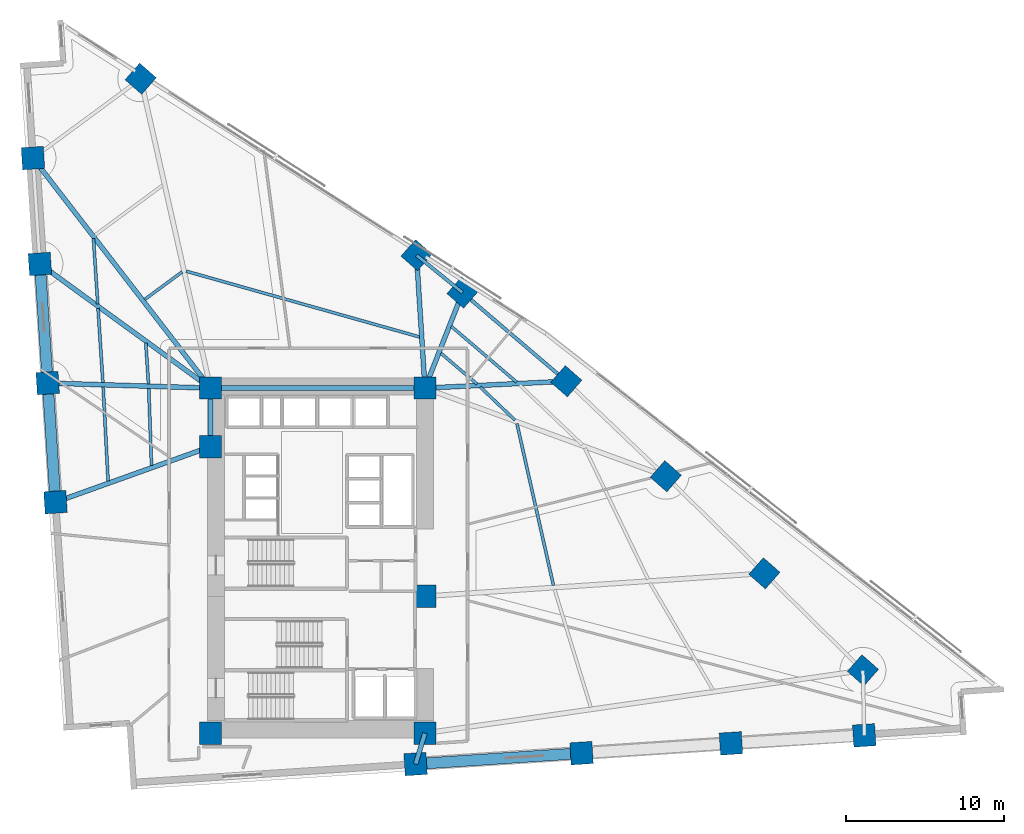
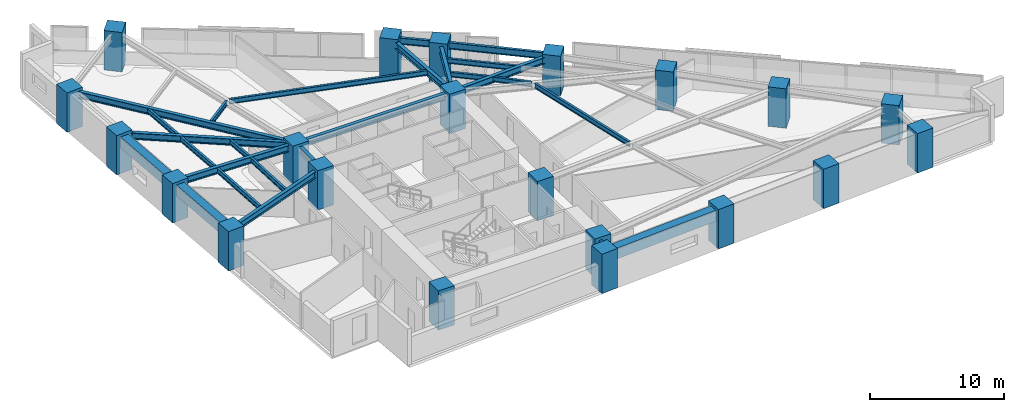
# One storey, part 1 of 16: 26 beams, 21 columns.
"""IFC4 building model written with IfcOpenShell, lengths in metres."""

from ifc_helpers import new_model, si_unit, direction, frame, origin, origin_2d, place, context, subcontext, project, spatial, rectangle, i_section, extrude, material, material_profile, profile_set, type_object, element, save


model = new_model("IFC4")

# Units and contexts
model_context = context("Model", 3, precision=1e-05, world=origin(), true_north=direction((0.0, 1.0)))
body_context = subcontext(model_context, "Body", "Model", "MODEL_VIEW")
ifc_project = project(units=[si_unit("LENGTHUNIT", "METRE"), si_unit("AREAUNIT", "SQUARE_METRE"), si_unit("VOLUMEUNIT", "CUBIC_METRE"), si_unit("PLANEANGLEUNIT", "RADIAN"), si_unit("MASSUNIT", "GRAM", prefix="KILO")], contexts=[model_context])

# Site, building, storey
site_placement = place(None, origin())
site = spatial("IfcSite", under=ifc_project, at=site_placement, CompositionType="ELEMENT")
building_placement = place(site_placement, origin())
building = spatial("IfcBuilding", under=site, at=building_placement, Name="Narakoshi Arena Tower", CompositionType="ELEMENT")
storey_placement = place(building_placement, frame((0.0, 0.0, 66.89990234375)))
storey = spatial("IfcBuildingStorey", under=building, at=storey_placement, Name="L17", CompositionType="ELEMENT", Elevation=66.89990234375)

# Columns
ifc_material_1 = material(Name="Concrete C60/75", Category="concrete")
ifc_material_profile_1 = material_profile(ifc_material_1, rectangle(XDim=1.39990234375, YDim=1.39990234375, at=origin_2d()), Name="RC1400x1400")
ifc_profile_set_1 = profile_set([ifc_material_profile_1], Name="Concrete C60/75")
column_type = type_object("IfcColumnType", Name="COL-RC1400", PredefinedType="COLUMN", material=ifc_profile_set_1)
for number, where, z_axis, x_axis, name in (
    (1, (72.0, 34.699951171875, 0.0), (0.0, 0.0, 1.0), (1.0, 0.0, 0.0), "L17 Core Structural Column CC1"),
    (2, (85.550048828125, 34.699951171875, 0.0), (0.0, 0.0, 1.0), (1.0, 0.0, 0.0), "L17 Core Structural Column CC2"),
    (3, (85.550048828125, 43.35009765625, 0.0), (0.0, 0.0, 1.0), (1.0, 0.0, 0.0), "L17 Core Structural Column CC3"),
    (4, (72.0, 52.800048828125, 0.0), (0.0, 0.0, 1.0), (1.0, 0.0, 0.0), "L17 Core Structural Column CC4"),
    (5, (72.0, 56.5, 0.0), (0.0, 0.0, 1.0), (1.0, 0.0, 0.0), "L17 Core Structural Column CC5"),
    (6, (85.550048828125, 56.5, 0.0), (0.0, 0.0, 1.0), (1.0, 0.0, 0.0), "L17 Core Structural Column CC6"),
    (7, (84.95703125, 32.7509765625, 0.0), (0.0, 0.0, 1.0), (0.997858923239, 0.06540312923, 0.0), "L17 Tower Perimeter Column TC01"),
    (8, (95.44189453125, 33.43798828125, 0.0), (0.0, 0.0, 1.0), (0.997858923239, 0.06540312923, 0.0), "L17 Tower Perimeter Column TC02"),
    (9, (104.8779296875, 34.056640625, 0.0), (0.0, 0.0, 1.0), (0.997858923239, 0.06540312923, 0.0), "L17 Tower Perimeter Column TC03"),
    (10, (113.299560546875, 34.5634765625, 0.0), (0.0, 0.0, 1.0), (0.997858923239, 0.06540312923, 0.0), "L17 Tower Perimeter Column TC04"),
    (11, (113.21630859375, 38.669189453125, 0.0), (0.0, 0.0, 1.0), (0.6593458151, 0.751839807479, 0.0), "L17 Tower Perimeter Column TC05"),
    (12, (106.989990234375, 44.800537109375, 0.0), (0.0, 0.0, 1.0), (0.6593458151, 0.751839807479, 0.0), "L17 Tower Perimeter Column TC06"),
    (13, (100.76318359375, 50.931640625, 0.0), (0.0, 0.0, 1.0), (0.6593458151, 0.751839807479, 0.0), "L17 Tower Perimeter Column TC07"),
    (14, (94.47900390625, 56.934814453125, 0.0), (0.0, 0.0, 1.0), (0.6593458151, 0.751839807479, 0.0), "L17 Tower Perimeter Column TC08"),
    (15, (87.922607421875, 62.534423828125, 0.0), (0.0, 0.0, 1.0), (0.6593458151, 0.751839807479, 0.0), "L17 Tower Perimeter Column TC09"),
    (16, (85.0146484375, 64.89794921875, 0.0), (0.0, 0.0, 1.0), (0.6593458151, 0.751839807479, 0.0), "L17 Tower Perimeter Column TC10"),
    (17, (67.58984375, 76.04345703125, 0.0), (0.0, 0.0, 1.0), (0.6593458151, 0.751839807479, 0.0), "L17 Tower Perimeter Column TC11"),
    (18, (60.785400390625, 71.031005859375, 0.0), (0.0, 0.0, 1.0), (-0.06540312923, 0.997858923239, 0.0), "L17 Tower Perimeter Column TC13"),
    (19, (61.223876953125, 64.343017578125, 0.0), (0.0, 0.0, 1.0), (-0.06540312923, 0.997858923239, 0.0), "L17 Tower Perimeter Column TC14"),
    (20, (61.716796875, 56.819091796875, 0.0), (0.0, 0.0, 1.0), (-0.06540312923, 0.997858923239, 0.0), "L17 Tower Perimeter Column TC15"),
    (21, (62.210205078125, 49.294921875, 0.0), (0.0, 0.0, 1.0), (-0.06540312923, 0.997858923239, 0.0), "L17 Tower Perimeter Column TC16"),
):
    element("IfcColumn", number, at=place(storey_placement, frame(where, z_axis=z_axis, x_axis=x_axis)), inside=storey, type_object=column_type, Name=name, PredefinedType="COLUMN", context=body_context, shape_type="SweptSolid", body=[
        extrude(rectangle(XDim=1.39990234375, YDim=1.39990234375, at=origin_2d()), origin(), (0.0, 0.0, 1.0), 3.60009765625),
    ])

# Beams
ifc_material_profile_2 = material_profile(ifc_material_1, rectangle(XDim=0.699951171875, YDim=1.0, at=origin_2d()), Name="RCB700x1000")
ifc_profile_set_2 = profile_set([ifc_material_profile_2], Name="Concrete C60/75")
beam_type_1 = type_object("IfcBeamType", Name="BM-CPL-1000", PredefinedType="BEAM", material=ifc_profile_set_2)
beam_1_placement = place(storey_placement, frame((84.95703125, 32.7509765625, 2.840087890625), z_axis=(0.997860180992, 0.065383936788, 0.0), x_axis=(-0.065383936788, 0.997860180992, 0.0)))
element("IfcBeam", 22, at=beam_1_placement, inside=storey, type_object=beam_type_1, Name="L17 Perimeter Edge Girder 01", PredefinedType="BEAM", context=body_context, shape_type="SweptSolid", body=[
    extrude(rectangle(XDim=0.699951171875, YDim=1.0, at=origin_2d()), origin(), (0.0, 0.0, 1.0), 10.50732421875),
])
beam_2_placement = place(storey_placement, frame((61.223876953125, 64.343017578125, 2.840087890625), z_axis=(0.065373518191, -0.997860863607, 0.0), x_axis=(0.997860863607, 0.065373518191, 0.0)))
element("IfcBeam", 23, at=beam_2_placement, inside=storey, type_object=beam_type_1, Name="L17 Perimeter Edge Girder 13", PredefinedType="BEAM", context=body_context, shape_type="SweptSolid", body=[
    extrude(rectangle(XDim=0.699951171875, YDim=1.0, at=origin_2d()), origin(), (0.0, 0.0, 1.0), 7.5400390625),
])
beam_3_placement = place(storey_placement, frame((61.716796875, 56.819091796875, 2.840087890625), z_axis=(0.06543588513, -0.997856775764, 0.0), x_axis=(0.997856775764, 0.06543588513, 0.0)))
element("IfcBeam", 24, at=beam_3_placement, inside=storey, type_object=beam_type_1, Name="L17 Perimeter Edge Girder 14", PredefinedType="BEAM", context=body_context, shape_type="SweptSolid", body=[
    extrude(rectangle(XDim=0.699951171875, YDim=1.0, at=origin_2d()), origin(), (0.0, 0.0, 1.0), 7.540283203125),
])
ifc_material_2 = material(Name="Structural steel S355J2", Category="steel")
ifc_material_profile_3 = material_profile(ifc_material_2, i_section(OverallWidth=0.219970703125, OverallDepth=0.60009765625, WebThickness=0.011962890625, FlangeThickness=0.01904296875, FilletRadius=0.02392578125, at=origin_2d()), Name="IPE600")
ifc_profile_set_3 = profile_set([ifc_material_profile_3], Name="Structural steel S355J2")
beam_type_2 = type_object("IfcBeamType", Name="BM-EDGE-600", PredefinedType="BEAM", material=ifc_profile_set_3)
beam_4_placement = place(storey_placement, frame((94.47900390625, 56.934814453125, 3.0400390625), z_axis=(-0.760410675305, 0.649442533934, 0.0), x_axis=(-0.649442533934, -0.760410675305, 0.0)))
element("IfcBeam", 25, at=beam_4_placement, inside=storey, type_object=beam_type_2, Name="L17 Perimeter Edge Girder 08", PredefinedType="BEAM", context=body_context, shape_type="SweptSolid", body=[
    extrude(i_section(OverallWidth=0.219970703125, OverallDepth=0.60009765625, WebThickness=0.011962890625, FlangeThickness=0.01904296875, FilletRadius=0.02392578125, at=origin_2d()), origin(), (0.0, 0.0, 1.0), 8.6220703125),
])
beam_5_placement = place(storey_placement, frame((87.922607421875, 62.534423828125, 3.0400390625), z_axis=(-0.776008368668, 0.630722610786, 0.0), x_axis=(-0.630722610786, -0.776008368668, 0.0)))
element("IfcBeam", 26, at=beam_5_placement, inside=storey, type_object=beam_type_2, Name="L17 Perimeter Edge Girder 09", PredefinedType="BEAM", context=body_context, shape_type="SweptSolid", body=[
    extrude(i_section(OverallWidth=0.219970703125, OverallDepth=0.60009765625, WebThickness=0.011962890625, FlangeThickness=0.01904296875, FilletRadius=0.02392578125, at=origin_2d()), origin(), (0.0, 0.0, 1.0), 3.747314453125),
])
ifc_material_profile_4 = material_profile(ifc_material_2, i_section(OverallWidth=0.300048828125, OverallDepth=0.60009765625, WebThickness=0.015380859375, FlangeThickness=0.030029296875, FilletRadius=0.027099609375, at=origin_2d()), Name="HE600B")
ifc_profile_set_4 = profile_set([ifc_material_profile_4], Name="Structural steel S355J2")
beam_type_3 = type_object("IfcBeamType", Name="BM-PRI-600", PredefinedType="BEAM", material=ifc_profile_set_4)
beam_6_placement = place(storey_placement, frame((85.550048828125, 34.699951171875, 3.0400390625), z_axis=(-0.291094852197, -0.956694197236, 0.0), x_axis=(0.956694197236, -0.291094852197, 0.0)))
element("IfcBeam", 27, at=beam_6_placement, inside=storey, type_object=beam_type_3, Name="L17 Radial Primary Floor Girder 01", PredefinedType="BEAM", context=body_context, shape_type="SweptSolid", body=[
    extrude(i_section(OverallWidth=0.300048828125, OverallDepth=0.60009765625, WebThickness=0.015380859375, FlangeThickness=0.030029296875, FilletRadius=0.027099609375, at=origin_2d()), origin(), (0.0, 0.0, 1.0), 2.037109375),
])
beam_7_placement = place(storey_placement, frame((85.550048828125, 56.5, 3.0400390625), z_axis=(0.998816399631, 0.048639488359, 0.0), x_axis=(-0.048639488359, 0.998816399631, 0.0)))
element("IfcBeam", 28, at=beam_7_placement, inside=storey, type_object=beam_type_3, Name="L17 Radial Primary Floor Girder 08", PredefinedType="BEAM", context=body_context, shape_type="SweptSolid", body=[
    extrude(i_section(OverallWidth=0.300048828125, OverallDepth=0.60009765625, WebThickness=0.015380859375, FlangeThickness=0.030029296875, FilletRadius=0.027099609375, at=origin_2d()), origin(), (0.0, 0.0, 1.0), 8.939453125),
])
beam_8_placement = place(storey_placement, frame((85.550048828125, 56.5, 3.0400390625), z_axis=(0.365905149474, 0.930652148543, 0.0), x_axis=(-0.930652148543, 0.365905149474, 0.0)))
element("IfcBeam", 29, at=beam_8_placement, inside=storey, type_object=beam_type_3, Name="L17 Radial Primary Floor Girder 09", PredefinedType="BEAM", context=body_context, shape_type="SweptSolid", body=[
    extrude(i_section(OverallWidth=0.300048828125, OverallDepth=0.60009765625, WebThickness=0.015380859375, FlangeThickness=0.030029296875, FilletRadius=0.027099609375, at=origin_2d()), origin(), (0.0, 0.0, 1.0), 6.484130859375),
])
beam_9_placement = place(storey_placement, frame((85.550048828125, 56.5, 3.0400390625), z_axis=(-0.063624535653, 0.997973906704, 0.0), x_axis=(-0.997973906704, -0.063624535653, 0.0)))
element("IfcBeam", 30, at=beam_9_placement, inside=storey, type_object=beam_type_3, Name="L17 Radial Primary Floor Girder 10", PredefinedType="BEAM", context=body_context, shape_type="SweptSolid", body=[
    extrude(i_section(OverallWidth=0.300048828125, OverallDepth=0.60009765625, WebThickness=0.015380859375, FlangeThickness=0.030029296875, FilletRadius=0.027099609375, at=origin_2d()), origin(), (0.0, 0.0, 1.0), 8.4150390625),
])
beam_10_placement = place(storey_placement, frame((72.0, 56.5, 3.0400390625), z_axis=(-0.610973069948, 0.791651380216, 0.0), x_axis=(-0.791651380216, -0.610973069948, 0.0)))
element("IfcBeam", 31, at=beam_10_placement, inside=storey, type_object=beam_type_3, Name="L17 Radial Primary Floor Girder 12", PredefinedType="BEAM", context=body_context, shape_type="SweptSolid", body=[
    extrude(i_section(OverallWidth=0.300048828125, OverallDepth=0.60009765625, WebThickness=0.015380859375, FlangeThickness=0.030029296875, FilletRadius=0.027099609375, at=origin_2d()), origin(), (0.0, 0.0, 1.0), 18.355224609375),
])
beam_11_placement = place(storey_placement, frame((72.0, 56.5, 3.0400390625), z_axis=(-0.808527706159, 0.588458110976, 0.0), x_axis=(-0.588458110976, -0.808527706159, 0.0)))
element("IfcBeam", 32, at=beam_11_placement, inside=storey, type_object=beam_type_3, Name="L17 Radial Primary Floor Girder 13", PredefinedType="BEAM", context=body_context, shape_type="SweptSolid", body=[
    extrude(i_section(OverallWidth=0.300048828125, OverallDepth=0.60009765625, WebThickness=0.015380859375, FlangeThickness=0.030029296875, FilletRadius=0.027099609375, at=origin_2d()), origin(), (0.0, 0.0, 1.0), 13.328125),
])
beam_12_placement = place(storey_placement, frame((72.0, 56.5, 3.0400390625), z_axis=(-0.99951890487, 0.031015460795, 0.0), x_axis=(-0.031015460795, -0.99951890487, 0.0)))
element("IfcBeam", 33, at=beam_12_placement, inside=storey, type_object=beam_type_3, Name="L17 Radial Primary Floor Girder 14", PredefinedType="BEAM", context=body_context, shape_type="SweptSolid", body=[
    extrude(i_section(OverallWidth=0.300048828125, OverallDepth=0.60009765625, WebThickness=0.015380859375, FlangeThickness=0.030029296875, FilletRadius=0.027099609375, at=origin_2d()), origin(), (0.0, 0.0, 1.0), 10.2880859375),
])
beam_13_placement = place(storey_placement, frame((72.0, 52.800048828125, 3.0400390625), z_axis=(-0.941474424124, -0.33708442373, 0.0), x_axis=(0.33708442373, -0.941474424124, 0.0)))
element("IfcBeam", 34, at=beam_13_placement, inside=storey, type_object=beam_type_3, Name="L17 Radial Primary Floor Girder 15", PredefinedType="BEAM", context=body_context, shape_type="SweptSolid", body=[
    extrude(i_section(OverallWidth=0.300048828125, OverallDepth=0.60009765625, WebThickness=0.015380859375, FlangeThickness=0.030029296875, FilletRadius=0.027099609375, at=origin_2d()), origin(), (0.0, 0.0, 1.0), 10.3984375),
])
beam_14_placement = place(storey_placement, frame((72.0, 52.800048828125, 3.0400390625), z_axis=(0.0, 1.0, 0.0), x_axis=(-1.0, 0.0, 0.0)))
element("IfcBeam", 35, at=beam_14_placement, inside=storey, type_object=beam_type_3, Name="L17 Core Perimeter Frame Beam CC4-CC5", PredefinedType="BEAM", context=body_context, shape_type="SweptSolid", body=[
    extrude(i_section(OverallWidth=0.300048828125, OverallDepth=0.60009765625, WebThickness=0.015380859375, FlangeThickness=0.030029296875, FilletRadius=0.027099609375, at=origin_2d()), origin(), (0.0, 0.0, 1.0), 3.699951171875),
])
beam_15_placement = place(storey_placement, frame((72.0, 56.5, 3.0400390625), z_axis=(1.0, 0.0, 0.0), x_axis=(0.0, 1.0, 0.0)))
element("IfcBeam", 36, at=beam_15_placement, inside=storey, type_object=beam_type_3, Name="L17 Core Perimeter Frame Beam CC5-CC6", PredefinedType="BEAM", context=body_context, shape_type="SweptSolid", body=[
    extrude(i_section(OverallWidth=0.300048828125, OverallDepth=0.60009765625, WebThickness=0.015380859375, FlangeThickness=0.030029296875, FilletRadius=0.027099609375, at=origin_2d()), origin(), (0.0, 0.0, 1.0), 13.550048828125),
])
ifc_material_profile_5 = material_profile(ifc_material_2, i_section(OverallWidth=0.18994140625, OverallDepth=0.449951171875, WebThickness=0.009521484375, FlangeThickness=0.0146484375, FilletRadius=0.02099609375, at=origin_2d()), Name="IPE450")
ifc_profile_set_5 = profile_set([ifc_material_profile_5], Name="Structural steel S355J2")
beam_type_4 = type_object("IfcBeamType", Name="BM-SEC-450", PredefinedType="JOIST", material=ifc_profile_set_5)
beam_16_placement = place(storey_placement, frame((93.66748046875, 44.032958984375, 3.114990234375), z_axis=(-0.220193637199, 0.975456181557, 0.0), x_axis=(-0.975456181557, -0.220193637199, 0.0)))
element("IfcBeam", 37, at=beam_16_placement, inside=storey, type_object=beam_type_4, Name="L17 Composite Secondary Floor Joist 03", PredefinedType="JOIST", context=body_context, shape_type="SweptSolid", body=[
    extrude(i_section(OverallWidth=0.18994140625, OverallDepth=0.449951171875, WebThickness=0.009521484375, FlangeThickness=0.0146484375, FilletRadius=0.02099609375, at=origin_2d()), origin(), (0.0, 0.0, 1.0), 10.4765625),
])
beam_17_placement = place(storey_placement, frame((91.2333984375, 54.477294921875, 3.114990234375), z_axis=(-0.723064858901, 0.690780145793, 0.0), x_axis=(-0.690780145793, -0.723064858901, 0.0)))
element("IfcBeam", 38, at=beam_17_placement, inside=storey, type_object=beam_type_4, Name="L17 Composite Secondary Floor Joist 05", PredefinedType="JOIST", context=body_context, shape_type="SweptSolid", body=[
    extrude(i_section(OverallWidth=0.18994140625, OverallDepth=0.449951171875, WebThickness=0.009521484375, FlangeThickness=0.0146484375, FilletRadius=0.02099609375, at=origin_2d()), origin(), (0.0, 0.0, 1.0), 3.032470703125),
])
beam_18_placement = place(storey_placement, frame((88.84033203125, 56.7529296875, 3.114990234375), z_axis=(-0.760430490225, 0.649419332586, 0.0), x_axis=(-0.649419332586, -0.760430490225, 0.0)))
element("IfcBeam", 39, at=beam_18_placement, inside=storey, type_object=beam_type_4, Name="L17 Composite Secondary Floor Joist 07", PredefinedType="JOIST", context=body_context, shape_type="SweptSolid", body=[
    extrude(i_section(OverallWidth=0.18994140625, OverallDepth=0.449951171875, WebThickness=0.009521484375, FlangeThickness=0.0146484375, FilletRadius=0.02099609375, at=origin_2d()), origin(), (0.0, 0.0, 1.0), 3.00634765625),
])
beam_19_placement = place(storey_placement, frame((91.340576171875, 56.87451171875, 3.114990234375), z_axis=(-0.760412600049, 0.649440280308, 0.0), x_axis=(-0.649440280308, -0.760412600049, 0.0)))
element("IfcBeam", 40, at=beam_19_placement, inside=storey, type_object=beam_type_4, Name="L17 Composite Secondary Floor Joist 08", PredefinedType="JOIST", context=body_context, shape_type="SweptSolid", body=[
    extrude(i_section(OverallWidth=0.18994140625, OverallDepth=0.449951171875, WebThickness=0.009521484375, FlangeThickness=0.0146484375, FilletRadius=0.02099609375, at=origin_2d()), origin(), (0.0, 0.0, 1.0), 5.4208984375),
])
beam_20_placement = place(storey_placement, frame((85.216796875, 59.727783203125, 3.114990234375), z_axis=(-0.962479100605, 0.271355819725, 0.0), x_axis=(-0.271355819725, -0.962479100605, 0.0)))
element("IfcBeam", 41, at=beam_20_placement, inside=storey, type_object=beam_type_4, Name="L17 Composite Secondary Floor Joist 09", PredefinedType="JOIST", context=body_context, shape_type="SweptSolid", body=[
    extrude(i_section(OverallWidth=0.18994140625, OverallDepth=0.449951171875, WebThickness=0.009521484375, FlangeThickness=0.0146484375, FilletRadius=0.02099609375, at=origin_2d()), origin(), (0.0, 0.0, 1.0), 15.338134765625),
])
beam_21_placement = place(storey_placement, frame((70.215576171875, 63.846435546875, 3.114990234375), z_axis=(-0.805139271894, -0.59308578878, 0.0), x_axis=(0.59308578878, -0.805139271894, 0.0)))
element("IfcBeam", 42, at=beam_21_placement, inside=storey, type_object=beam_type_4, Name="L17 Composite Secondary Floor Joist 10", PredefinedType="JOIST", context=body_context, shape_type="SweptSolid", body=[
    extrude(i_section(OverallWidth=0.18994140625, OverallDepth=0.449951171875, WebThickness=0.009521484375, FlangeThickness=0.0146484375, FilletRadius=0.02099609375, at=origin_2d()), origin(), (0.0, 0.0, 1.0), 2.941650390625),
])
beam_22_placement = place(storey_placement, frame((64.607177734375, 65.955810546875, 3.114990234375), z_axis=(0.065418851064, -0.997857892651, 0.0), x_axis=(0.997857892651, 0.065418851064, 0.0)))
element("IfcBeam", 43, at=beam_22_placement, inside=storey, type_object=beam_type_4, Name="L17 Composite Secondary Floor Joist 12", PredefinedType="JOIST", context=body_context, shape_type="SweptSolid", body=[
    extrude(i_section(OverallWidth=0.18994140625, OverallDepth=0.449951171875, WebThickness=0.009521484375, FlangeThickness=0.0146484375, FilletRadius=0.02099609375, at=origin_2d()), origin(), (0.0, 0.0, 1.0), 4.153564453125),
])
beam_23_placement = place(storey_placement, frame((67.913818359375, 59.345703125, 3.114990234375), z_axis=(0.06537642983, -0.997860672851, 0.0), x_axis=(0.997860672851, 0.06537642983, 0.0)))
element("IfcBeam", 44, at=beam_23_placement, inside=storey, type_object=beam_type_4, Name="L17 Composite Secondary Floor Joist 13", PredefinedType="JOIST", context=body_context, shape_type="SweptSolid", body=[
    extrude(i_section(OverallWidth=0.18994140625, OverallDepth=0.449951171875, WebThickness=0.009521484375, FlangeThickness=0.0146484375, FilletRadius=0.02099609375, at=origin_2d()), origin(), (0.0, 0.0, 1.0), 2.595458984375),
])
beam_24_placement = place(storey_placement, frame((64.896484375, 61.541748046875, 3.114990234375), z_axis=(0.065410381182, -0.997858447894, 0.0), x_axis=(0.997858447894, 0.065410381182, 0.0)))
element("IfcBeam", 45, at=beam_24_placement, inside=storey, type_object=beam_type_4, Name="L17 Composite Secondary Floor Joist 14", PredefinedType="JOIST", context=body_context, shape_type="SweptSolid", body=[
    extrude(i_section(OverallWidth=0.18994140625, OverallDepth=0.449951171875, WebThickness=0.009521484375, FlangeThickness=0.0146484375, FilletRadius=0.02099609375, at=origin_2d()), origin(), (0.0, 0.0, 1.0), 4.70654296875),
])
beam_25_placement = place(storey_placement, frame((68.097412109375, 56.486328125, 3.114990234375), z_axis=(0.036322381291, -0.999340124591, 0.0), x_axis=(0.999340124591, 0.036322381291, 0.0)))
element("IfcBeam", 46, at=beam_25_placement, inside=storey, type_object=beam_type_4, Name="L17 Composite Secondary Floor Joist 15", PredefinedType="JOIST", context=body_context, shape_type="SweptSolid", body=[
    extrude(i_section(OverallWidth=0.18994140625, OverallDepth=0.449951171875, WebThickness=0.009521484375, FlangeThickness=0.0146484375, FilletRadius=0.02099609375, at=origin_2d()), origin(), (0.0, 0.0, 1.0), 4.886474609375),
])
beam_26_placement = place(storey_placement, frame((65.22021484375, 56.57568359375, 3.114990234375), z_axis=(0.052208510838, -0.998636205731, 0.0), x_axis=(0.998636205731, 0.052208510838, 0.0)))
element("IfcBeam", 47, at=beam_26_placement, inside=storey, type_object=beam_type_4, Name="L17 Composite Secondary Floor Joist 16", PredefinedType="JOIST", context=body_context, shape_type="SweptSolid", body=[
    extrude(i_section(OverallWidth=0.18994140625, OverallDepth=0.449951171875, WebThickness=0.009521484375, FlangeThickness=0.0146484375, FilletRadius=0.02099609375, at=origin_2d()), origin(), (0.0, 0.0, 1.0), 5.962158203125),
])

save(model, "model.ifc")
